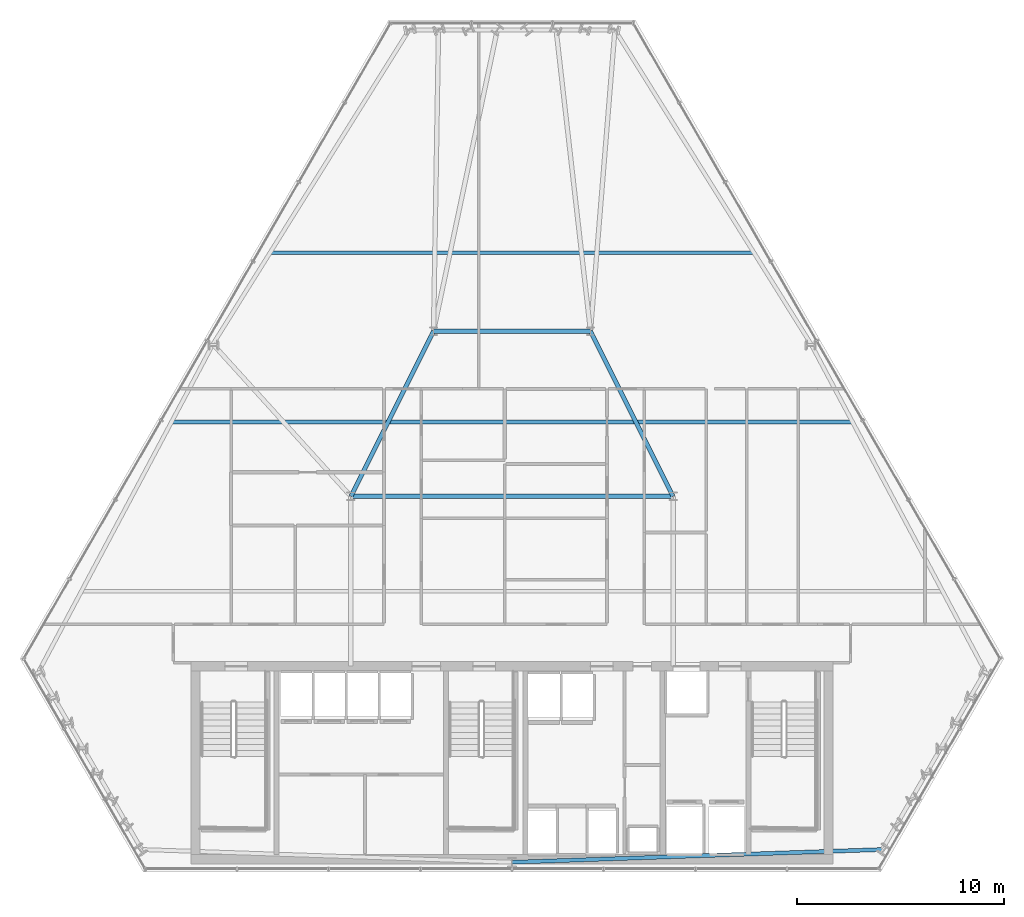
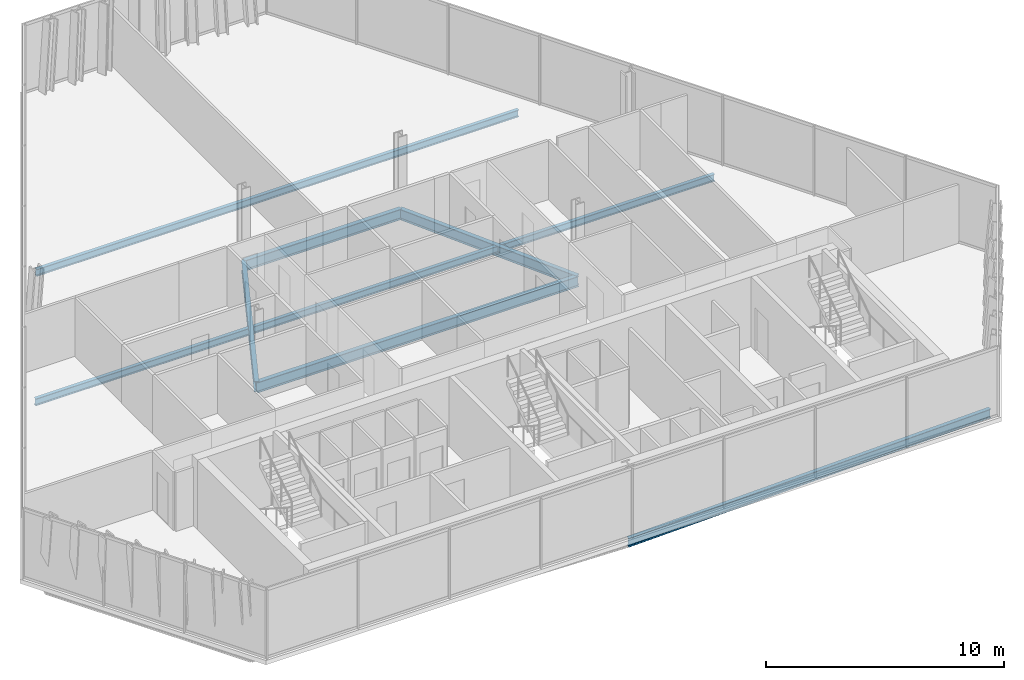
# One storey, part 14 of 31: 7 beams.
"""IFC4 building model written with IfcOpenShell, lengths in metres."""

from ifc_helpers import new_model, si_unit, direction, frame, origin, origin_2d, place, context, subcontext, project, spatial, i_section, extrude, material, material_profile, profile_set, type_object, element, save


model = new_model("IFC4")

# Units and contexts
model_context = context("Model", 3, precision=1e-05, world=origin(), true_north=direction((0.0, 1.0)))
body_context = subcontext(model_context, "Body", "Model", "MODEL_VIEW")
ifc_project = project(units=[si_unit("LENGTHUNIT", "METRE"), si_unit("AREAUNIT", "SQUARE_METRE"), si_unit("VOLUMEUNIT", "CUBIC_METRE"), si_unit("PLANEANGLEUNIT", "RADIAN"), si_unit("MASSUNIT", "GRAM", prefix="KILO")], contexts=[model_context])

# Site, building, storey
site_placement = place(None, origin())
site = spatial("IfcSite", under=ifc_project, at=site_placement, CompositionType="ELEMENT")
building_placement = place(site_placement, origin())
building = spatial("IfcBuilding", under=site, at=building_placement, Name="Ndaravel Arena Tower", CompositionType="ELEMENT")
storey_placement = place(building_placement, frame((0.0, 0.0, 146.0)))
storey = spatial("IfcBuildingStorey", under=building, at=storey_placement, Name="L34", CompositionType="ELEMENT", Elevation=146.0)

# Beams
ifc_material_1 = material(Name="Steel S355", Category="steel")
ifc_material_profile_1 = material_profile(ifc_material_1, i_section(OverallWidth=0.210693359375, OverallDepth=0.53955078125, WebThickness=0.01171875, FlangeThickness=0.018798828125, FilletRadius=0.0126953125, at=origin_2d()), Name="UB 533x210x109")
ifc_profile_set_1 = profile_set([ifc_material_profile_1], Name="Steel S355")
beam_type_1 = type_object("IfcBeamType", Name="BM-GIRD-UB533", PredefinedType="BEAM", material=ifc_profile_set_1)
beam_1_placement = place(storey_placement, frame((34.199951171875, 23.199951171875, -0.48974609375), z_axis=(1.0, 0.0, 0.0), x_axis=(0.0, 1.0, 0.0)))
element("IfcBeam", 1, at=beam_1_placement, inside=storey, type_object=beam_type_1, Name="L34 Spine Link Girder SLG-03", PredefinedType="BEAM", context=body_context, shape_type="SweptSolid", body=[
    extrude(i_section(OverallWidth=0.210693359375, OverallDepth=0.53955078125, WebThickness=0.01171875, FlangeThickness=0.018798828125, FilletRadius=0.0126953125, at=origin_2d()), origin(), (0.0, 0.0, 1.0), 15.60009765625),
])
for number, where, z_axis, x_axis, name in (
    (2, (34.199951171875, 23.199951171875, -0.48974609375), (0.4472135955, 0.894427191, 0.0), (-0.894427191, 0.4472135955, 0.0), "L34 Spine Link Girder SLG-04"),
    (3, (49.800048828125, 23.199951171875, -0.48974609375), (-0.4472135955, 0.894427191, 0.0), (-0.894427191, -0.4472135955, 0.0), "L34 Spine Link Girder SLG-05"),
):
    element("IfcBeam", number, at=place(storey_placement, frame(where, z_axis=z_axis, x_axis=x_axis)), inside=storey, type_object=beam_type_1, Name=name, PredefinedType="BEAM", context=body_context, shape_type="SweptSolid", body=[
        extrude(i_section(OverallWidth=0.210693359375, OverallDepth=0.53955078125, WebThickness=0.01171875, FlangeThickness=0.018798828125, FilletRadius=0.0126953125, at=origin_2d()), origin(), (0.0, 0.0, 1.0), 8.9443359375),
    ])
beam_2_placement = place(storey_placement, frame((38.199951171875, 31.199951171875, -0.48974609375), z_axis=(1.0, 0.0, 0.0), x_axis=(0.0, 1.0, 0.0)))
element("IfcBeam", 4, at=beam_2_placement, inside=storey, type_object=beam_type_1, Name="L34 Spine Link Girder SLG-06", PredefinedType="BEAM", context=body_context, shape_type="SweptSolid", body=[
    extrude(i_section(OverallWidth=0.210693359375, OverallDepth=0.53955078125, WebThickness=0.01171875, FlangeThickness=0.018798828125, FilletRadius=0.0126953125, at=origin_2d()), origin(), (0.0, 0.0, 1.0), 7.60009765625),
])
ifc_material_2 = material(Name="Steel S355", Category="steel")
ifc_material_profile_2 = material_profile(ifc_material_2, i_section(OverallWidth=0.172119140625, OverallDepth=0.35791015625, WebThickness=0.008056640625, FlangeThickness=0.012939453125, FilletRadius=0.01025390625, at=origin_2d()), Name="UB 356x171x57")
ifc_profile_set_2 = profile_set([ifc_material_profile_2], Name="Steel S355")
beam_type_2 = type_object("IfcBeamType", Name="BM-JOIST-UB356", PredefinedType="JOIST", material=ifc_profile_set_2)
beam_3_placement = place(storey_placement, frame((25.513671875, 26.800048828125, -0.39892578125), z_axis=(1.0, 0.0, 0.0), x_axis=(0.0, 1.0, 0.0)))
element("IfcBeam", 5, at=beam_3_placement, inside=storey, type_object=beam_type_2, Name="L34 Composite Floor Joist FJ-02", PredefinedType="JOIST", context=body_context, shape_type="SweptSolid", body=[
    extrude(i_section(OverallWidth=0.172119140625, OverallDepth=0.35791015625, WebThickness=0.008056640625, FlangeThickness=0.012939453125, FilletRadius=0.01025390625, at=origin_2d()), origin(), (0.0, 0.0, 1.0), 32.97265625),
])
beam_4_placement = place(storey_placement, frame((30.2861328125, 35.0, -0.39892578125), z_axis=(1.0, 0.0, 0.0), x_axis=(0.0, 1.0, 0.0)))
element("IfcBeam", 6, at=beam_4_placement, inside=storey, type_object=beam_type_2, Name="L34 Composite Floor Joist FJ-03", PredefinedType="JOIST", context=body_context, shape_type="SweptSolid", body=[
    extrude(i_section(OverallWidth=0.172119140625, OverallDepth=0.35791015625, WebThickness=0.008056640625, FlangeThickness=0.012939453125, FilletRadius=0.01025390625, at=origin_2d()), origin(), (0.0, 0.0, 1.0), 23.427734375),
])
ifc_material_3 = material(Name="Steel S355", Category="steel")
ifc_material_profile_3 = material_profile(ifc_material_3, i_section(OverallWidth=0.18994140625, OverallDepth=0.449951171875, WebThickness=0.009521484375, FlangeThickness=0.0146484375, FilletRadius=0.02099609375, at=origin_2d()), Name="IPE 450")
ifc_profile_set_3 = profile_set([ifc_material_profile_3], Name="Steel S355")
beam_type_3 = type_object("IfcBeamType", Name="BM-SPAN-IPE450", PredefinedType="SPANDREL", material=ifc_profile_set_3)
beam_5_placement = place(storey_placement, frame((42.0, 5.47998046875, -0.445068359375), z_axis=(0.99940958159, 0.03435823374, 0.0), x_axis=(-0.03435823374, 0.99940958159, 0.0)))
element("IfcBeam", 7, at=beam_5_placement, inside=storey, type_object=beam_type_3, Name="L34 Perimeter Spandrel Beam SP-01", PredefinedType="SPANDREL", context=body_context, shape_type="SweptSolid", body=[
    extrude(i_section(OverallWidth=0.18994140625, OverallDepth=0.449951171875, WebThickness=0.009521484375, FlangeThickness=0.0146484375, FilletRadius=0.02099609375, at=origin_2d()), origin(), (0.0, 0.0, 1.0), 17.94189453125),
])

save(model, "model.ifc")
